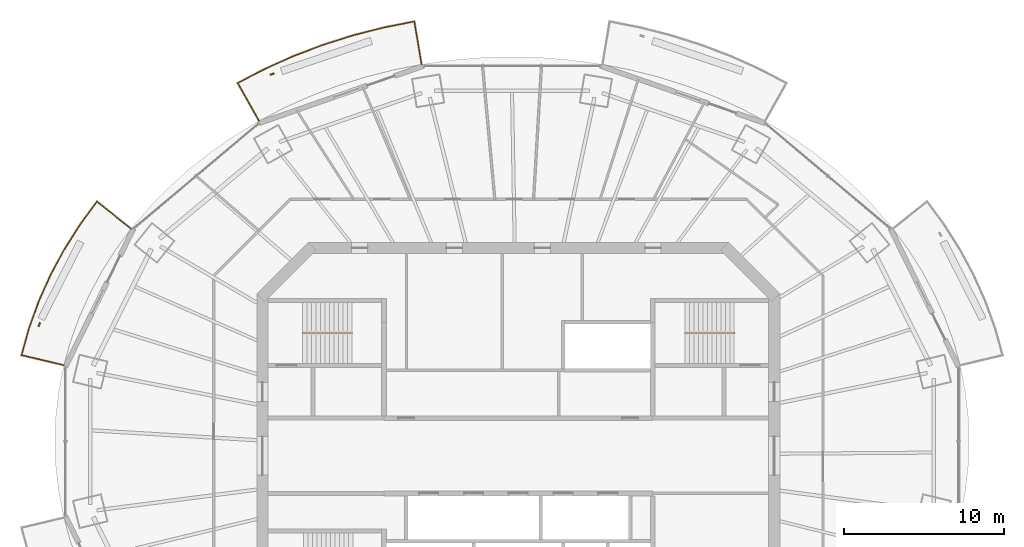
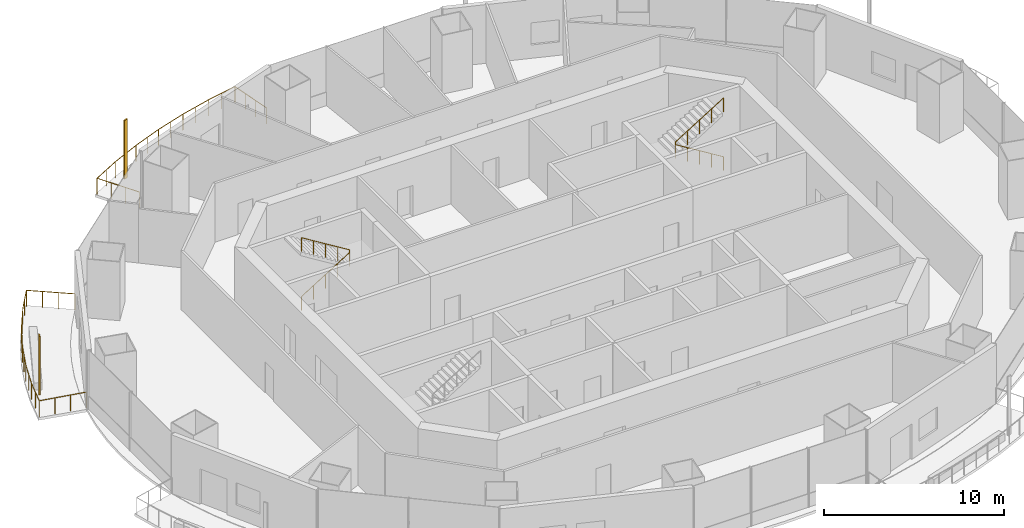
# One storey, part 14 of 16: 4 railings, 2 shading devices.
"""IFC4 building model written with IfcOpenShell, lengths in metres."""

from ifc_helpers import new_model, si_unit, direction, frame, origin, origin_2d, place, context, subcontext, project, spatial, rectangle, circle, extrude, material, material_profile, profile_set, type_object, element, save


model = new_model("IFC4")

# Units and contexts
model_context = context("Model", 3, precision=1e-05, world=origin(), true_north=direction((0.0, 1.0)))
body_context = subcontext(model_context, "Body", "Model", "MODEL_VIEW")
ifc_project = project(units=[si_unit("LENGTHUNIT", "METRE"), si_unit("AREAUNIT", "SQUARE_METRE"), si_unit("VOLUMEUNIT", "CUBIC_METRE"), si_unit("PLANEANGLEUNIT", "RADIAN"), si_unit("MASSUNIT", "GRAM", prefix="KILO")], contexts=[model_context])

# Site, building, storey
site_placement = place(None, origin())
site = spatial("IfcSite", under=ifc_project, at=site_placement, CompositionType="ELEMENT")
building_placement = place(site_placement, origin())
building = spatial("IfcBuilding", under=site, at=building_placement, Name="Marenthal Gate Tower", CompositionType="ELEMENT")
storey_placement = place(building_placement, frame((0.0, 0.0, 296.949951171875)))
storey = spatial("IfcBuildingStorey", under=building, at=storey_placement, Name="L66", CompositionType="ELEMENT", Elevation=296.949951171875)

# Railings
ifc_material_1 = material(Name="Stainless steel", Category="steel")
railing_type_1 = type_object("IfcRailingType", Name="Balcony guard 1100", PredefinedType="GUARDRAIL", material=ifc_material_1)
railing_1_placement = place(storey_placement, frame((-16.21728515625, 20.942626953125, 0.0)))
element("IfcRailing", 1, at=railing_1_placement, inside=storey, type_object=railing_type_1, Name="Balcony guard L66 bay 5", PredefinedType="GUARDRAIL", context=body_context, shape_type="SweptSolid", body=[
    extrude(circle(Radius=0.02392578125, at=origin_2d()), frame((0.0, 0.0, 1.076171875), z_axis=(-0.490352997795, 0.87139963554, -0.014717769334), x_axis=(-0.871494029004, -0.490406114776, 0.0)), (0.0, 0.0, 1.0), 2.720458984375),
    extrude(circle(Radius=0.02392578125, at=origin_2d()), frame((-1.333984375, 2.37060546875, 1.0361328125), z_axis=(0.886700798457, 0.462343696848, 0.0), x_axis=(-0.462343696848, 0.886700798457, 0.0)), (0.0, 0.0, 1.0), 1.876708984375),
    extrude(circle(Radius=0.02392578125, at=origin_2d()), frame((0.330078125, 3.23828125, 1.0361328125), z_axis=(0.911972518318, 0.410251295955, 0.0), x_axis=(-0.410251295955, 0.911972518318, 0.0)), (0.0, 0.0, 1.0), 1.9697265625),
    extrude(circle(Radius=0.02392578125, at=origin_2d()), frame((2.12646484375, 4.04638671875, 1.0361328125), z_axis=(0.934386218754, 0.356261693426, 0.0), x_axis=(-0.356261693426, 0.934386218754, 0.0)), (0.0, 0.0, 1.0), 1.98193359375),
    extrude(circle(Radius=0.02392578125, at=origin_2d()), frame((3.978271484375, 4.75244140625, 1.0361328125), z_axis=(0.95337689514, 0.301782199297, 0.0), x_axis=(-0.301782199297, 0.95337689514, 0.0)), (0.0, 0.0, 1.0), 1.99267578125),
    extrude(circle(Radius=0.02392578125, at=origin_2d()), frame((5.8779296875, 5.353759765625, 1.0361328125), z_axis=(0.968925174526, 0.247354009811, 0.0), x_axis=(-0.247354009811, 0.968925174526, 0.0)), (0.0, 0.0, 1.0), 2.001708984375),
    extrude(circle(Radius=0.02392578125, at=origin_2d()), frame((7.8173828125, 5.848876953125, 1.0361328125), z_axis=(0.98107877251, 0.193608992898, 0.0), x_axis=(-0.193608992898, 0.98107877251, 0.0)), (0.0, 0.0, 1.0), 1.929443359375),
    extrude(circle(Radius=0.02392578125, at=origin_2d()), frame((9.710205078125, 6.222412109375, 1.0361328125), z_axis=(0.165225230724, -0.986146026723, 0.014718597414), x_axis=(0.986252861995, 0.165243130591, 0.0)), (0.0, 0.0, 1.0), 2.72021484375),
    extrude(circle(Radius=0.02099609375, at=origin_2d()), origin(), (0.0, 0.0, 1.0), 1.052001953125),
    extrude(circle(Radius=0.02099609375, at=origin_2d()), frame((-0.444580078125, 0.790283203125, -0.013427734375)), (0.0, 0.0, 1.0), 1.052001953125),
    extrude(circle(Radius=0.02099609375, at=origin_2d()), frame((-0.889404296875, 1.580322265625, -0.026611328125)), (0.0, 0.0, 1.0), 1.052001953125),
    extrude(circle(Radius=0.02099609375, at=origin_2d()), frame((-1.333984375, 2.37060546875, -0.0400390625)), (0.0, 0.0, 1.0), 1.052001953125),
    extrude(circle(Radius=0.02099609375, at=origin_2d()), frame((-0.501953125, 2.804443359375, -0.0400390625)), (0.0, 0.0, 1.0), 1.052001953125),
    extrude(circle(Radius=0.02099609375, at=origin_2d()), frame((0.330078125, 3.23828125, -0.0400390625)), (0.0, 0.0, 1.0), 1.052001953125),
    extrude(circle(Radius=0.02099609375, at=origin_2d()), frame((1.228271484375, 3.642333984375, -0.0400390625)), (0.0, 0.0, 1.0), 1.052001953125),
    extrude(circle(Radius=0.02099609375, at=origin_2d()), frame((2.12646484375, 4.04638671875, -0.0400390625)), (0.0, 0.0, 1.0), 1.052001953125),
    extrude(circle(Radius=0.02099609375, at=origin_2d()), frame((3.05224609375, 4.3994140625, -0.0400390625)), (0.0, 0.0, 1.0), 1.052001953125),
    extrude(circle(Radius=0.02099609375, at=origin_2d()), frame((3.978271484375, 4.75244140625, -0.0400390625)), (0.0, 0.0, 1.0), 1.052001953125),
    extrude(circle(Radius=0.02099609375, at=origin_2d()), frame((4.92822265625, 5.05322265625, -0.0400390625)), (0.0, 0.0, 1.0), 1.052001953125),
    extrude(circle(Radius=0.02099609375, at=origin_2d()), frame((5.8779296875, 5.353759765625, -0.0400390625)), (0.0, 0.0, 1.0), 1.052001953125),
    extrude(circle(Radius=0.02099609375, at=origin_2d()), frame((6.84765625, 5.601318359375, -0.0400390625)), (0.0, 0.0, 1.0), 1.052001953125),
    extrude(circle(Radius=0.02099609375, at=origin_2d()), frame((7.8173828125, 5.848876953125, -0.0400390625)), (0.0, 0.0, 1.0), 1.052001953125),
    extrude(circle(Radius=0.02099609375, at=origin_2d()), frame((8.763671875, 6.03564453125, -0.0400390625)), (0.0, 0.0, 1.0), 1.052001953125),
    extrude(circle(Radius=0.02099609375, at=origin_2d()), frame((9.710205078125, 6.222412109375, -0.0400390625)), (0.0, 0.0, 1.0), 1.052001953125),
    extrude(circle(Radius=0.02099609375, at=origin_2d()), frame((9.860107421875, 5.328125, -0.026611328125)), (0.0, 0.0, 1.0), 1.052001953125),
    extrude(circle(Radius=0.02099609375, at=origin_2d()), frame((10.009765625, 4.43408203125, -0.013427734375)), (0.0, 0.0, 1.0), 1.052001953125),
    extrude(circle(Radius=0.02099609375, at=origin_2d()), frame((10.15966796875, 3.539794921875, 0.0)), (0.0, 0.0, 1.0), 1.052001953125),
])
railing_2_placement = place(storey_placement, frame((-28.427978515625, 5.67138671875, 0.0)))
element("IfcRailing", 2, at=railing_2_placement, inside=storey, type_object=railing_type_1, Name="Balcony guard L66 bay 7", PredefinedType="GUARDRAIL", context=body_context, shape_type="SweptSolid", body=[
    extrude(circle(Radius=0.02392578125, at=origin_2d()), frame((0.0, 0.0, 1.076171875), z_axis=(-0.973117172157, 0.229839811666, -0.014718363574), x_axis=(-0.229864710837, -0.973222592582, 0.0)), (0.0, 0.0, 1.0), 2.720458984375),
    extrude(circle(Radius=0.02392578125, at=origin_2d()), frame((-2.647216796875, 0.625244140625, 1.0361328125), z_axis=(0.268728447288, 0.963215978698, 0.0), x_axis=(-0.963215978698, 0.268728447288, 0.0)), (0.0, 0.0, 1.0), 1.718017578125),
    extrude(circle(Radius=0.02392578125, at=origin_2d()), frame((-2.185546875, 2.280029296875, 1.0361328125), z_axis=(0.33909288178, 0.940752899292, 0.0), x_axis=(-0.940752899292, 0.33909288178, 0.0)), (0.0, 0.0, 1.0), 1.8056640625),
    extrude(circle(Radius=0.02392578125, at=origin_2d()), frame((-1.5732421875, 3.978759765625, 1.0361328125), z_axis=(0.408333619035, 0.912832764292, 0.0), x_axis=(-0.912832764292, 0.408333619035, 0.0)), (0.0, 0.0, 1.0), 1.815185546875),
    extrude(circle(Radius=0.02392578125, at=origin_2d()), frame((-0.83203125, 5.6357421875, 1.0361328125), z_axis=(0.474067933151, 0.880488270653, 0.0), x_axis=(-0.880488270653, 0.474067933151, 0.0)), (0.0, 0.0, 1.0), 1.826171875),
    extrude(circle(Radius=0.02392578125, at=origin_2d()), frame((0.03369140625, 7.24365234375, 1.0361328125), z_axis=(0.536179368299, 0.844104072381, 0.0), x_axis=(-0.844104072381, 0.536179368299, 0.0)), (0.0, 0.0, 1.0), 1.838623046875),
    extrude(circle(Radius=0.02392578125, at=origin_2d()), frame((1.01953125, 8.795654296875, 1.0361328125), z_axis=(0.593189639739, 0.80506276234, 0.0), x_axis=(-0.80506276234, 0.593189639739, 0.0)), (0.0, 0.0, 1.0), 1.772216796875),
    extrude(circle(Radius=0.02392578125, at=origin_2d()), frame((2.07080078125, 10.222412109375, 1.0361328125), z_axis=(0.783299764569, -0.621469871648, 0.014719968075), x_axis=(0.621537211848, 0.783384640064, 0.0)), (0.0, 0.0, 1.0), 2.719970703125),
    extrude(circle(Radius=0.02099609375, at=origin_2d()), origin(), (0.0, 0.0, 1.0), 1.052001953125),
    extrude(circle(Radius=0.02099609375, at=origin_2d()), frame((-0.88232421875, 0.20849609375, -0.013427734375)), (0.0, 0.0, 1.0), 1.052001953125),
    extrude(circle(Radius=0.02099609375, at=origin_2d()), frame((-1.764892578125, 0.416748046875, -0.026611328125)), (0.0, 0.0, 1.0), 1.052001953125),
    extrude(circle(Radius=0.02099609375, at=origin_2d()), frame((-2.647216796875, 0.625244140625, -0.0400390625)), (0.0, 0.0, 1.0), 1.052001953125),
    extrude(circle(Radius=0.02099609375, at=origin_2d()), frame((-2.41650390625, 1.45263671875, -0.0400390625)), (0.0, 0.0, 1.0), 1.052001953125),
    extrude(circle(Radius=0.02099609375, at=origin_2d()), frame((-2.185546875, 2.280029296875, -0.0400390625)), (0.0, 0.0, 1.0), 1.052001953125),
    extrude(circle(Radius=0.02099609375, at=origin_2d()), frame((-1.87939453125, 3.12939453125, -0.0400390625)), (0.0, 0.0, 1.0), 1.052001953125),
    extrude(circle(Radius=0.02099609375, at=origin_2d()), frame((-1.5732421875, 3.978759765625, -0.0400390625)), (0.0, 0.0, 1.0), 1.052001953125),
    extrude(circle(Radius=0.02099609375, at=origin_2d()), frame((-1.20263671875, 4.80712890625, -0.0400390625)), (0.0, 0.0, 1.0), 1.052001953125),
    extrude(circle(Radius=0.02099609375, at=origin_2d()), frame((-0.83203125, 5.6357421875, -0.0400390625)), (0.0, 0.0, 1.0), 1.052001953125),
    extrude(circle(Radius=0.02099609375, at=origin_2d()), frame((-0.399169921875, 6.439697265625, -0.0400390625)), (0.0, 0.0, 1.0), 1.052001953125),
    extrude(circle(Radius=0.02099609375, at=origin_2d()), frame((0.03369140625, 7.24365234375, -0.0400390625)), (0.0, 0.0, 1.0), 1.052001953125),
    extrude(circle(Radius=0.02099609375, at=origin_2d()), frame((0.526611328125, 8.01953125, -0.0400390625)), (0.0, 0.0, 1.0), 1.052001953125),
    extrude(circle(Radius=0.02099609375, at=origin_2d()), frame((1.01953125, 8.795654296875, -0.0400390625)), (0.0, 0.0, 1.0), 1.052001953125),
    extrude(circle(Radius=0.02099609375, at=origin_2d()), frame((1.545166015625, 9.509033203125, -0.0400390625)), (0.0, 0.0, 1.0), 1.052001953125),
    extrude(circle(Radius=0.02099609375, at=origin_2d()), frame((2.07080078125, 10.222412109375, -0.0400390625)), (0.0, 0.0, 1.0), 1.052001953125),
    extrude(circle(Radius=0.02099609375, at=origin_2d()), frame((2.781005859375, 9.658935546875, -0.026611328125)), (0.0, 0.0, 1.0), 1.052001953125),
    extrude(circle(Radius=0.02099609375, at=origin_2d()), frame((3.4912109375, 9.095458984375, -0.013427734375)), (0.0, 0.0, 1.0), 1.052001953125),
    extrude(circle(Radius=0.02099609375, at=origin_2d()), frame((4.201416015625, 8.531982421875, 0.0)), (0.0, 0.0, 1.0), 1.052001953125),
])
ifc_material_2 = material(Name="Stainless steel", Category="steel")
railing_type_2 = type_object("IfcRailingType", Name="Stair handrail", PredefinedType="HANDRAIL", material=ifc_material_2)
railing_3_placement = place(storey_placement, frame((-13.5, 7.675048828125, 0.1728515625)))
element("IfcRailing", 3, at=railing_3_placement, inside=storey, type_object=railing_type_2, Name="Handrail ST1", PredefinedType="HANDRAIL", context=body_context, shape_type="SweptSolid", body=[
    extrude(circle(Radius=0.0224609375, at=origin_2d()), frame((0.0, 0.0, 0.927490234375), z_axis=(0.850835241893, 0.0, 0.525432575268), x_axis=(0.0, 1.0, 0.0)), (0.0, 0.0, 1.0), 3.6201171875),
    extrude(circle(Radius=0.0224609375, at=origin_2d()), frame((3.080078125, 0.0, 2.82958984375), z_axis=(0.0, 0.0, 1.0), x_axis=(1.0, 0.0, 0.0)), (0.0, 0.0, 1.0), 0.173095703125),
    extrude(circle(Radius=0.0224609375, at=origin_2d()), frame((3.080078125, 0.0, 3.002685546875), z_axis=(-0.850835241893, 0.0, 0.525432575268), x_axis=(0.0, -1.0, 0.0)), (0.0, 0.0, 1.0), 3.6201171875),
    extrude(circle(Radius=0.02001953125, at=origin_2d()), origin(), (0.0, 0.0, 1.0), 0.905029296875),
    extrude(circle(Radius=0.02001953125, at=origin_2d()), frame((0.77001953125, 0.0, 0.4755859375)), (0.0, 0.0, 1.0), 0.905029296875),
    extrude(circle(Radius=0.02001953125, at=origin_2d()), frame((1.5400390625, 0.0, 0.951171875)), (0.0, 0.0, 1.0), 0.905029296875),
    extrude(circle(Radius=0.02001953125, at=origin_2d()), frame((2.31005859375, 0.0, 1.426513671875)), (0.0, 0.0, 1.0), 0.905029296875),
    extrude(circle(Radius=0.02001953125, at=origin_2d()), frame((3.080078125, 0.0, 1.902099609375)), (0.0, 0.0, 1.0), 0.905029296875),
    extrude(circle(Radius=0.02001953125, at=origin_2d()), frame((3.080078125, 0.0, 2.0751953125)), (0.0, 0.0, 1.0), 0.905029296875),
    extrude(circle(Radius=0.02001953125, at=origin_2d()), frame((2.31005859375, 0.0, 2.55078125)), (0.0, 0.0, 1.0), 0.905029296875),
    extrude(circle(Radius=0.02001953125, at=origin_2d()), frame((1.5400390625, 0.0, 3.0263671875)), (0.0, 0.0, 1.0), 0.905029296875),
    extrude(circle(Radius=0.02001953125, at=origin_2d()), frame((0.77001953125, 0.0, 3.501708984375)), (0.0, 0.0, 1.0), 0.905029296875),
    extrude(circle(Radius=0.02001953125, at=origin_2d()), frame((0.0, 0.0, 3.977294921875)), (0.0, 0.0, 1.0), 0.905029296875),
])
railing_4_placement = place(storey_placement, frame((13.5, 7.675048828125, 0.1728515625)))
element("IfcRailing", 4, at=railing_4_placement, inside=storey, type_object=railing_type_2, Name="Handrail ST3", PredefinedType="HANDRAIL", context=body_context, shape_type="SweptSolid", body=[
    extrude(circle(Radius=0.0224609375, at=origin_2d()), frame((0.0, 0.0, 0.927490234375), z_axis=(-0.850835241893, 0.0, 0.525432575268), x_axis=(0.0, -1.0, 0.0)), (0.0, 0.0, 1.0), 3.6201171875),
    extrude(circle(Radius=0.0224609375, at=origin_2d()), frame((-3.080078125, 0.0, 2.82958984375), z_axis=(0.0, 0.0, 1.0), x_axis=(1.0, 0.0, 0.0)), (0.0, 0.0, 1.0), 0.173095703125),
    extrude(circle(Radius=0.0224609375, at=origin_2d()), frame((-3.080078125, 0.0, 3.002685546875), z_axis=(0.850835241893, 0.0, 0.525432575268), x_axis=(0.0, 1.0, 0.0)), (0.0, 0.0, 1.0), 3.6201171875),
    extrude(circle(Radius=0.02001953125, at=origin_2d()), origin(), (0.0, 0.0, 1.0), 0.905029296875),
    extrude(circle(Radius=0.02001953125, at=origin_2d()), frame((-0.77001953125, 0.0, 0.4755859375)), (0.0, 0.0, 1.0), 0.905029296875),
    extrude(circle(Radius=0.02001953125, at=origin_2d()), frame((-1.5400390625, 0.0, 0.951171875)), (0.0, 0.0, 1.0), 0.905029296875),
    extrude(circle(Radius=0.02001953125, at=origin_2d()), frame((-2.31005859375, 0.0, 1.426513671875)), (0.0, 0.0, 1.0), 0.905029296875),
    extrude(circle(Radius=0.02001953125, at=origin_2d()), frame((-3.080078125, 0.0, 1.902099609375)), (0.0, 0.0, 1.0), 0.905029296875),
    extrude(circle(Radius=0.02001953125, at=origin_2d()), frame((-3.080078125, 0.0, 2.0751953125)), (0.0, 0.0, 1.0), 0.905029296875),
    extrude(circle(Radius=0.02001953125, at=origin_2d()), frame((-2.31005859375, 0.0, 2.55078125)), (0.0, 0.0, 1.0), 0.905029296875),
    extrude(circle(Radius=0.02001953125, at=origin_2d()), frame((-1.5400390625, 0.0, 3.0263671875)), (0.0, 0.0, 1.0), 0.905029296875),
    extrude(circle(Radius=0.02001953125, at=origin_2d()), frame((-0.77001953125, 0.0, 3.501708984375)), (0.0, 0.0, 1.0), 0.905029296875),
    extrude(circle(Radius=0.02001953125, at=origin_2d()), frame((0.0, 0.0, 3.977294921875)), (0.0, 0.0, 1.0), 0.905029296875),
])

# Shading devices
ifc_material_3 = material(Name="Terracotta", Category="masonry")
ifc_material_profile = material_profile(ifc_material_3, rectangle(XDim=0.25, YDim=0.080078125, at=origin_2d()), Name="Terracotta baguette 250x80")
ifc_profile_set = profile_set([ifc_material_profile], Name="Terracotta")
shading_device_type = type_object("IfcShadingDeviceType", Name="Terracotta BAGUETTE SCREEN 250x80", PredefinedType="USERDEFINED", material=ifc_profile_set)
for number, where, z_axis, x_axis, name in (
    (5, (-15.405029296875, 23.865966796875, -0.0400390625), (0.0, 0.0, 1.0), (-0.944279584145, -0.329144446962, 0.0), "Terracotta BAGUETTE L66 bay 5R"),
    (6, (-29.961181640625, 8.2109375, -0.0400390625), (0.0, 0.0, 1.0), (-0.441623511691, -0.897200464735, 0.0), "Terracotta BAGUETTE L66 bay 7R"),
):
    element("IfcShadingDevice", number, at=place(storey_placement, frame(where, z_axis=z_axis, x_axis=x_axis)), inside=storey, type_object=shading_device_type, Name=name, ObjectType="BAGUETTE SCREEN", PredefinedType="USERDEFINED", context=body_context, shape_type="SweptSolid", body=[
        extrude(rectangle(XDim=0.25, YDim=0.080078125, at=origin_2d()), origin(), (0.0, 0.0, 1.0), 3.969970703125),
    ])

save(model, "model.ifc")
